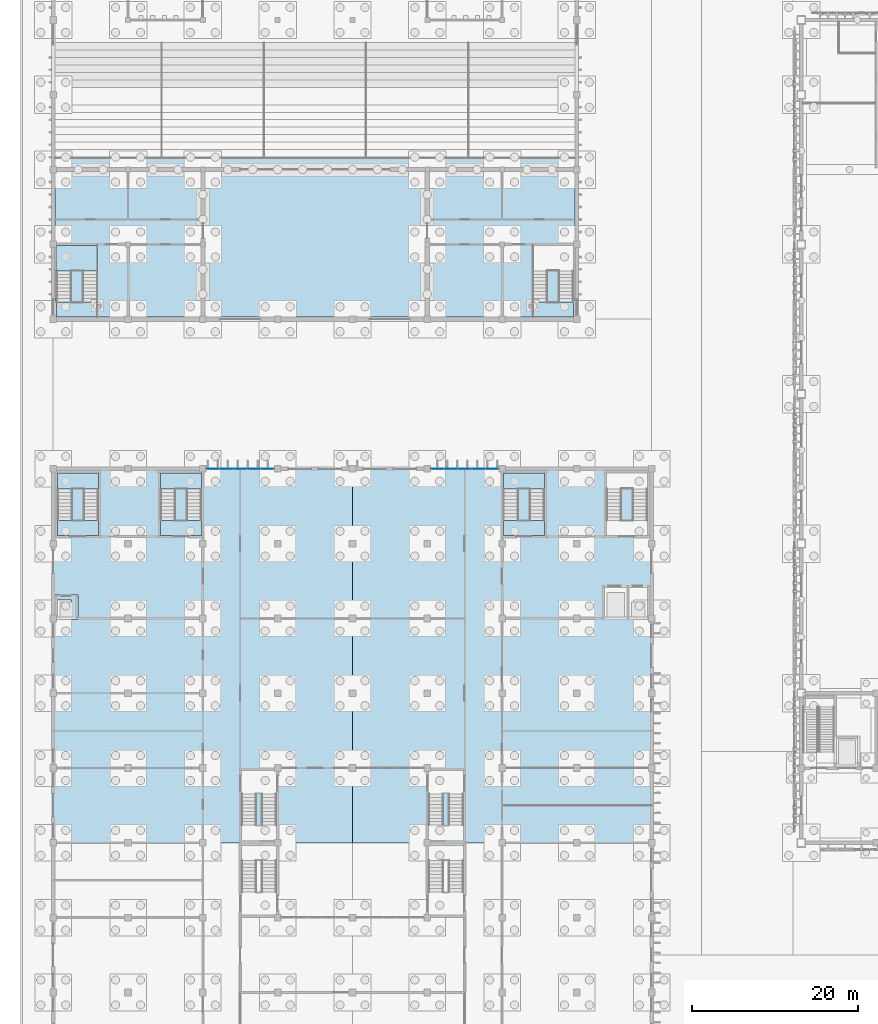
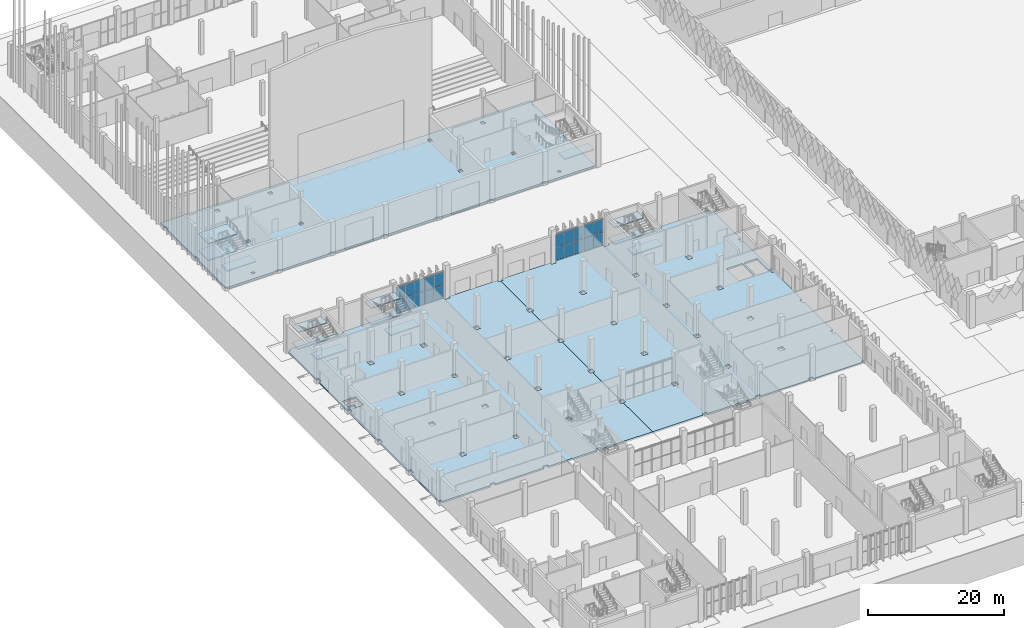
# One storey, part 67 of 198: 20 plates, 17 slabs, 7 elements without a shape of their own.
"""IFC4 building model written with IfcOpenShell, lengths in metres."""

from ifc_helpers import new_model, si_unit, direction, frame, origin, origin_2d, place, context, subcontext, project, spatial, polyline, rectangle, outline, extrude, material, layer, layer_set, type_object, element, aggregate, save


model = new_model("IFC4")

# Units and contexts
model_context = context("Model", 3, precision=1e-05, world=origin(), true_north=direction((0.0, 1.0)))
body_context = subcontext(model_context, "Body", "Model", "MODEL_VIEW")
ifc_project = project(units=[si_unit("LENGTHUNIT", "METRE"), si_unit("AREAUNIT", "SQUARE_METRE"), si_unit("VOLUMEUNIT", "CUBIC_METRE"), si_unit("PLANEANGLEUNIT", "RADIAN"), si_unit("MASSUNIT", "GRAM", prefix="KILO")], contexts=[model_context])

# Site, building, storey
site_placement = place(None, origin())
site = spatial("IfcSite", under=ifc_project, at=site_placement, CompositionType="ELEMENT")
building_placement = place(site_placement, origin())
building = spatial("IfcBuilding", under=site, at=building_placement, Name="Opaline Strait Convention Centre", CompositionType="ELEMENT")
storey_placement = place(building_placement, origin())
storey = spatial("IfcBuildingStorey", under=building, at=storey_placement, Name="L00", CompositionType="ELEMENT", Elevation=0.0)

# Curtain wall, plates
ifc_material_1 = material(Name="Aluminium framed double glazing", Category="aluminium")
ifc_layer_1 = layer(ifc_material_1, 0.199951171875)
ifc_layer_set_1 = layer_set([ifc_layer_1], Name="Aluminium framed double glazing")
curtain_wall_type = type_object("IfcCurtainWallType", Name="Curtain wall 1500 module", PredefinedType="NOTDEFINED", material=ifc_layer_set_1)
curtain_wall_1_placement = place(storey_placement, origin())
curtain_wall_1 = element("IfcCurtainWall", 1, at=curtain_wall_1_placement, inside=storey, type_object=curtain_wall_type, Name="L00 N facade glazing bay 3", PredefinedType="NOTDEFINED")
ifc_material_2 = material(Name="Double glazed unit low emissivity", Category="glass")
ifc_layer_2 = layer(ifc_material_2, 0.028076171875)
ifc_layer_set_2 = layer_set([ifc_layer_2], Name="Double glazed unit low emissivity")
plate_type = type_object("IfcPlateType", Name="Curtain wall glass panel 28", PredefinedType="CURTAIN_PANEL", material=ifc_layer_set_2)
plate_1_placement = place(storey_placement, frame((28.23486328125, 99.0, 0.06005859375), z_axis=(0.0, 0.0, 1.0), x_axis=(1.0, 0.0, 0.0)))
plate_1 = element("IfcPlate", 2, at=plate_1_placement, type_object=plate_type, Name="RCW1 panel 1.1", PredefinedType="CURTAIN_PANEL", context=body_context, shape_type="SweptSolid", body=[
    extrude(rectangle(XDim=1.550048828125, YDim=0.028076171875, at=origin_2d()), origin(), (0.0, 0.0, 1.0), 2.320068359375),
])
plate_2_placement = place(storey_placement, frame((28.23486328125, 99.0, 2.43994140625), z_axis=(0.0, 0.0, 1.0), x_axis=(1.0, 0.0, 0.0)))
plate_2 = element("IfcPlate", 3, at=plate_2_placement, type_object=plate_type, Name="RCW1 panel 1.2", PredefinedType="CURTAIN_PANEL", context=body_context, shape_type="SweptSolid", body=[
    extrude(rectangle(XDim=1.550048828125, YDim=0.028076171875, at=origin_2d()), origin(), (0.0, 0.0, 1.0), 2.320068359375),
])
plate_3_placement = place(storey_placement, frame((29.85986328125, 99.0, 0.06005859375), z_axis=(0.0, 0.0, 1.0), x_axis=(1.0, 0.0, 0.0)))
plate_3 = element("IfcPlate", 4, at=plate_3_placement, type_object=plate_type, Name="RCW1 panel 2.1", PredefinedType="CURTAIN_PANEL", context=body_context, shape_type="SweptSolid", body=[
    extrude(rectangle(XDim=1.580078125, YDim=0.028076171875, at=origin_2d()), origin(), (0.0, 0.0, 1.0), 2.320068359375),
])
plate_4_placement = place(storey_placement, frame((29.85986328125, 99.0, 2.43994140625), z_axis=(0.0, 0.0, 1.0), x_axis=(1.0, 0.0, 0.0)))
plate_4 = element("IfcPlate", 5, at=plate_4_placement, type_object=plate_type, Name="RCW1 panel 2.2", PredefinedType="CURTAIN_PANEL", context=body_context, shape_type="SweptSolid", body=[
    extrude(rectangle(XDim=1.580078125, YDim=0.028076171875, at=origin_2d()), origin(), (0.0, 0.0, 1.0), 2.320068359375),
])
plate_5_placement = place(storey_placement, frame((31.5, 99.0, 0.06005859375), z_axis=(0.0, 0.0, 1.0), x_axis=(1.0, 0.0, 0.0)))
plate_5 = element("IfcPlate", 6, at=plate_5_placement, type_object=plate_type, Name="RCW1 panel 3.1", PredefinedType="CURTAIN_PANEL", context=body_context, shape_type="SweptSolid", body=[
    extrude(rectangle(XDim=1.580078125, YDim=0.028076171875, at=origin_2d()), origin(), (0.0, 0.0, 1.0), 2.320068359375),
])
plate_6_placement = place(storey_placement, frame((31.5, 99.0, 2.43994140625), z_axis=(0.0, 0.0, 1.0), x_axis=(1.0, 0.0, 0.0)))
plate_6 = element("IfcPlate", 7, at=plate_6_placement, type_object=plate_type, Name="RCW1 panel 3.2", PredefinedType="CURTAIN_PANEL", context=body_context, shape_type="SweptSolid", body=[
    extrude(rectangle(XDim=1.580078125, YDim=0.028076171875, at=origin_2d()), origin(), (0.0, 0.0, 1.0), 2.320068359375),
])
plate_7_placement = place(storey_placement, frame((33.14013671875, 99.0, 0.06005859375), z_axis=(0.0, 0.0, 1.0), x_axis=(1.0, 0.0, 0.0)))
plate_7 = element("IfcPlate", 8, at=plate_7_placement, type_object=plate_type, Name="RCW1 panel 4.1", PredefinedType="CURTAIN_PANEL", context=body_context, shape_type="SweptSolid", body=[
    extrude(rectangle(XDim=1.580078125, YDim=0.028076171875, at=origin_2d()), origin(), (0.0, 0.0, 1.0), 2.320068359375),
])
plate_8_placement = place(storey_placement, frame((33.14013671875, 99.0, 2.43994140625), z_axis=(0.0, 0.0, 1.0), x_axis=(1.0, 0.0, 0.0)))
plate_8 = element("IfcPlate", 9, at=plate_8_placement, type_object=plate_type, Name="RCW1 panel 4.2", PredefinedType="CURTAIN_PANEL", context=body_context, shape_type="SweptSolid", body=[
    extrude(rectangle(XDim=1.580078125, YDim=0.028076171875, at=origin_2d()), origin(), (0.0, 0.0, 1.0), 2.320068359375),
])
plate_9_placement = place(storey_placement, frame((34.76513671875, 99.0, 0.06005859375), z_axis=(0.0, 0.0, 1.0), x_axis=(1.0, 0.0, 0.0)))
plate_9 = element("IfcPlate", 10, at=plate_9_placement, type_object=plate_type, Name="RCW1 panel 5.1", PredefinedType="CURTAIN_PANEL", context=body_context, shape_type="SweptSolid", body=[
    extrude(rectangle(XDim=1.550048828125, YDim=0.028076171875, at=origin_2d()), origin(), (0.0, 0.0, 1.0), 2.320068359375),
])
plate_10_placement = place(storey_placement, frame((34.76513671875, 99.0, 2.43994140625), z_axis=(0.0, 0.0, 1.0), x_axis=(1.0, 0.0, 0.0)))
plate_10 = element("IfcPlate", 11, at=plate_10_placement, type_object=plate_type, Name="RCW1 panel 5.2", PredefinedType="CURTAIN_PANEL", context=body_context, shape_type="SweptSolid", body=[
    extrude(rectangle(XDim=1.550048828125, YDim=0.028076171875, at=origin_2d()), origin(), (0.0, 0.0, 1.0), 2.320068359375),
])
aggregate(curtain_wall_1, [plate_1, plate_2, plate_3, plate_4, plate_5, plate_6, plate_7, plate_8, plate_9, plate_10])

curtain_wall_2_placement = place(storey_placement, origin())
curtain_wall_2 = element("IfcCurtainWall", 12, at=curtain_wall_2_placement, inside=storey, type_object=curtain_wall_type, Name="L00 N facade glazing bay 6", PredefinedType="NOTDEFINED")
plate_11_placement = place(storey_placement, frame((55.23486328125, 99.0, 0.06005859375), z_axis=(0.0, 0.0, 1.0), x_axis=(1.0, 0.0, 0.0)))
plate_11 = element("IfcPlate", 13, at=plate_11_placement, type_object=plate_type, Name="RCW1 panel 1.1", PredefinedType="CURTAIN_PANEL", context=body_context, shape_type="SweptSolid", body=[
    extrude(rectangle(XDim=1.550048828125, YDim=0.028076171875, at=origin_2d()), origin(), (0.0, 0.0, 1.0), 2.320068359375),
])
plate_12_placement = place(storey_placement, frame((55.23486328125, 99.0, 2.43994140625), z_axis=(0.0, 0.0, 1.0), x_axis=(1.0, 0.0, 0.0)))
plate_12 = element("IfcPlate", 14, at=plate_12_placement, type_object=plate_type, Name="RCW1 panel 1.2", PredefinedType="CURTAIN_PANEL", context=body_context, shape_type="SweptSolid", body=[
    extrude(rectangle(XDim=1.550048828125, YDim=0.028076171875, at=origin_2d()), origin(), (0.0, 0.0, 1.0), 2.320068359375),
])
plate_13_placement = place(storey_placement, frame((56.85986328125, 99.0, 0.06005859375), z_axis=(0.0, 0.0, 1.0), x_axis=(1.0, 0.0, 0.0)))
plate_13 = element("IfcPlate", 15, at=plate_13_placement, type_object=plate_type, Name="RCW1 panel 2.1", PredefinedType="CURTAIN_PANEL", context=body_context, shape_type="SweptSolid", body=[
    extrude(rectangle(XDim=1.580078125, YDim=0.028076171875, at=origin_2d()), origin(), (0.0, 0.0, 1.0), 2.320068359375),
])
plate_14_placement = place(storey_placement, frame((56.85986328125, 99.0, 2.43994140625), z_axis=(0.0, 0.0, 1.0), x_axis=(1.0, 0.0, 0.0)))
plate_14 = element("IfcPlate", 16, at=plate_14_placement, type_object=plate_type, Name="RCW1 panel 2.2", PredefinedType="CURTAIN_PANEL", context=body_context, shape_type="SweptSolid", body=[
    extrude(rectangle(XDim=1.580078125, YDim=0.028076171875, at=origin_2d()), origin(), (0.0, 0.0, 1.0), 2.320068359375),
])
plate_15_placement = place(storey_placement, frame((58.5, 99.0, 0.06005859375), z_axis=(0.0, 0.0, 1.0), x_axis=(1.0, 0.0, 0.0)))
plate_15 = element("IfcPlate", 17, at=plate_15_placement, type_object=plate_type, Name="RCW1 panel 3.1", PredefinedType="CURTAIN_PANEL", context=body_context, shape_type="SweptSolid", body=[
    extrude(rectangle(XDim=1.580078125, YDim=0.028076171875, at=origin_2d()), origin(), (0.0, 0.0, 1.0), 2.320068359375),
])
plate_16_placement = place(storey_placement, frame((58.5, 99.0, 2.43994140625), z_axis=(0.0, 0.0, 1.0), x_axis=(1.0, 0.0, 0.0)))
plate_16 = element("IfcPlate", 18, at=plate_16_placement, type_object=plate_type, Name="RCW1 panel 3.2", PredefinedType="CURTAIN_PANEL", context=body_context, shape_type="SweptSolid", body=[
    extrude(rectangle(XDim=1.580078125, YDim=0.028076171875, at=origin_2d()), origin(), (0.0, 0.0, 1.0), 2.320068359375),
])
plate_17_placement = place(storey_placement, frame((60.14013671875, 99.0, 0.06005859375), z_axis=(0.0, 0.0, 1.0), x_axis=(1.0, 0.0, 0.0)))
plate_17 = element("IfcPlate", 19, at=plate_17_placement, type_object=plate_type, Name="RCW1 panel 4.1", PredefinedType="CURTAIN_PANEL", context=body_context, shape_type="SweptSolid", body=[
    extrude(rectangle(XDim=1.580078125, YDim=0.028076171875, at=origin_2d()), origin(), (0.0, 0.0, 1.0), 2.320068359375),
])
plate_18_placement = place(storey_placement, frame((60.14013671875, 99.0, 2.43994140625), z_axis=(0.0, 0.0, 1.0), x_axis=(1.0, 0.0, 0.0)))
plate_18 = element("IfcPlate", 20, at=plate_18_placement, type_object=plate_type, Name="RCW1 panel 4.2", PredefinedType="CURTAIN_PANEL", context=body_context, shape_type="SweptSolid", body=[
    extrude(rectangle(XDim=1.580078125, YDim=0.028076171875, at=origin_2d()), origin(), (0.0, 0.0, 1.0), 2.320068359375),
])
plate_19_placement = place(storey_placement, frame((61.76513671875, 99.0, 0.06005859375), z_axis=(0.0, 0.0, 1.0), x_axis=(1.0, 0.0, 0.0)))
plate_19 = element("IfcPlate", 21, at=plate_19_placement, type_object=plate_type, Name="RCW1 panel 5.1", PredefinedType="CURTAIN_PANEL", context=body_context, shape_type="SweptSolid", body=[
    extrude(rectangle(XDim=1.550048828125, YDim=0.028076171875, at=origin_2d()), origin(), (0.0, 0.0, 1.0), 2.320068359375),
])
plate_20_placement = place(storey_placement, frame((61.76513671875, 99.0, 2.43994140625), z_axis=(0.0, 0.0, 1.0), x_axis=(1.0, 0.0, 0.0)))
plate_20 = element("IfcPlate", 22, at=plate_20_placement, type_object=plate_type, Name="RCW1 panel 5.2", PredefinedType="CURTAIN_PANEL", context=body_context, shape_type="SweptSolid", body=[
    extrude(rectangle(XDim=1.550048828125, YDim=0.028076171875, at=origin_2d()), origin(), (0.0, 0.0, 1.0), 2.320068359375),
])
aggregate(curtain_wall_2, [plate_11, plate_12, plate_13, plate_14, plate_15, plate_16, plate_17, plate_18, plate_19, plate_20])

# Slabs
ifc_material_3 = material(Name="Concrete C30", Category="concrete")
ifc_layer_3 = layer(ifc_material_3, 0.300048828125)
ifc_layer_set_3 = layer_set([ifc_layer_3], Name="Concrete C30")
slab_type_1 = type_object("IfcSlabType", Name="Ground slab 300 C30", PredefinedType="BASESLAB", material=ifc_layer_set_3)
slab_1_placement = place(storey_placement, frame((0.0, 0.0, -0.300048828125)))
element("IfcSlab", 23, at=slab_1_placement, inside=storey, type_object=slab_type_1, Name="XS1 ground slab 1", PredefinedType="BASESLAB", context=body_context, shape_type="SweptSolid", body=[
    extrude(outline(polyline([(71.800048828125, 136.5), (71.800048828125, 135.39990234375), (71.60009765625, 135.39990234375), (71.60009765625, 134.60009765625), (71.800048828125, 134.60009765625), (71.800048828125, 126.39990234375), (71.60009765625, 126.39990234375), (71.60009765625, 125.60009765625), (71.800048828125, 125.60009765625), (71.800048828125, 117.39990234375), (71.60009765625, 117.39990234375), (71.60009765625, 117.25), (63.39990234375, 117.25), (63.39990234375, 117.39990234375), (62.60009765625, 117.39990234375), (62.60009765625, 117.25), (54.39990234375, 117.25), (54.39990234375, 117.39990234375), (53.60009765625, 117.39990234375), (53.60009765625, 117.25), (45.39990234375, 117.25), (45.39990234375, 117.39990234375), (44.60009765625, 117.39990234375), (44.60009765625, 117.25), (36.39990234375, 117.25), (36.39990234375, 117.39990234375), (35.60009765625, 117.39990234375), (35.60009765625, 117.25), (27.39990234375, 117.25), (27.39990234375, 117.39990234375), (26.60009765625, 117.39990234375), (26.60009765625, 117.25), (18.39990234375, 117.25), (18.39990234375, 117.39990234375), (17.60009765625, 117.39990234375), (17.60009765625, 117.25), (9.39990234375, 117.25), (9.39990234375, 117.39990234375), (9.199951171875, 117.39990234375), (9.199951171875, 125.60009765625), (9.39990234375, 125.60009765625), (9.39990234375, 126.39990234375), (9.199951171875, 126.39990234375), (9.199951171875, 134.60009765625), (9.39990234375, 134.60009765625), (9.39990234375, 135.39990234375), (9.199951171875, 135.39990234375), (9.199951171875, 136.5), (71.800048828125, 136.5)]), holes=[polyline([(14.300048828125, 118.39990234375), (14.800048828125, 118.39990234375), (14.800048828125, 118.800048828125), (14.300048828125, 118.800048828125), (14.300048828125, 118.39990234375)]), polyline([(17.699951171875, 125.699951171875), (18.300048828125, 125.699951171875), (18.300048828125, 126.300048828125), (17.699951171875, 126.300048828125), (17.699951171875, 125.699951171875)]), polyline([(26.699951171875, 134.699951171875), (27.300048828125, 134.699951171875), (27.300048828125, 135.300048828125), (26.699951171875, 135.300048828125), (26.699951171875, 134.699951171875)]), polyline([(18.300048828125, 134.699951171875), (18.300048828125, 135.300048828125), (17.699951171875, 135.300048828125), (17.699951171875, 134.699951171875), (18.300048828125, 134.699951171875)]), polyline([(26.699951171875, 125.699951171875), (27.300048828125, 125.699951171875), (27.300048828125, 126.300048828125), (26.699951171875, 126.300048828125), (26.699951171875, 125.699951171875)]), polyline([(53.699951171875, 125.699951171875), (54.300048828125, 125.699951171875), (54.300048828125, 126.300048828125), (53.699951171875, 126.300048828125), (53.699951171875, 125.699951171875)]), polyline([(53.699951171875, 134.699951171875), (54.300048828125, 134.699951171875), (54.300048828125, 135.300048828125), (53.699951171875, 135.300048828125), (53.699951171875, 134.699951171875)]), polyline([(66.199951171875, 118.39990234375), (66.699951171875, 118.39990234375), (66.699951171875, 118.800048828125), (66.199951171875, 118.800048828125), (66.199951171875, 118.39990234375)]), polyline([(63.300048828125, 125.699951171875), (63.300048828125, 126.300048828125), (62.699951171875, 126.300048828125), (62.699951171875, 125.699951171875), (63.300048828125, 125.699951171875)]), polyline([(62.699951171875, 134.699951171875), (63.300048828125, 134.699951171875), (63.300048828125, 135.300048828125), (62.699951171875, 135.300048828125), (62.699951171875, 134.699951171875)])]), origin(), (0.0, 0.0, 1.0), 0.300048828125),
])
ifc_material_4 = material(Name="Concrete C35", Category="concrete")
ifc_layer_4 = layer(ifc_material_4, 0.300048828125)
ifc_layer_set_4 = layer_set([ifc_layer_4], Name="Concrete C35")
slab_type_2 = type_object("IfcSlabType", Name="Lift pit slab 300 C35", PredefinedType="BASESLAB", material=ifc_layer_set_4)
slab_2_placement = place(storey_placement, frame((0.0, 0.0, -1.300048828125)))
element("IfcSlab", 24, at=slab_2_placement, inside=storey, type_object=slab_type_2, Name="Lift pit slab NW", PredefinedType="BASESLAB", context=body_context, shape_type="SweptSolid", body=[
    extrude(outline(polyline([(9.199951171875, 83.85009765625), (12.0, 83.85009765625), (12.0, 80.85009765625), (11.199951171875, 80.85009765625), (11.199951171875, 83.199951171875), (9.199951171875, 83.199951171875), (9.199951171875, 83.85009765625)])), origin(), (0.0, 0.0, 1.0), 0.300048828125),
])
ifc_layer_5 = layer(ifc_material_3, 0.300048828125)
ifc_layer_set_5 = layer_set([ifc_layer_5], Name="Concrete C30")
slab_type_3 = type_object("IfcSlabType", Name="RC ground slab 300 C30", PredefinedType="BASESLAB", material=ifc_layer_set_5)
slab_3_placement = place(storey_placement, frame((0.0, 0.0, -0.300048828125)))
element("IfcSlab", 25, at=slab_3_placement, inside=storey, type_object=slab_type_3, Name="MGS1 slab L00 pour NW1", PredefinedType="BASESLAB", context=body_context, shape_type="SweptSolid", body=[
    extrude(outline(polyline([(9.39990234375, 54.39990234375), (9.0, 54.39990234375), (9.0, 62.60009765625), (9.39990234375, 62.60009765625), (9.39990234375, 63.39990234375), (9.0, 63.39990234375), (9.0, 71.60009765625), (9.39990234375, 71.60009765625), (9.39990234375, 72.39990234375), (9.0, 72.39990234375), (9.0, 80.60009765625), (9.39990234375, 80.60009765625), (9.39990234375, 81.39990234375), (9.0, 81.39990234375), (9.0, 89.60009765625), (9.39990234375, 89.60009765625), (9.39990234375, 90.39990234375), (9.0, 90.39990234375), (9.0, 98.60009765625), (9.39990234375, 98.60009765625), (9.39990234375, 99.0), (17.60009765625, 99.0), (17.60009765625, 98.60009765625), (18.39990234375, 98.60009765625), (18.39990234375, 99.0), (26.60009765625, 99.0), (26.60009765625, 98.60009765625), (27.39990234375, 98.60009765625), (27.39990234375, 99.0), (35.60009765625, 99.0), (35.60009765625, 98.60009765625), (36.39990234375, 98.60009765625), (36.39990234375, 99.0), (44.60009765625, 99.0), (44.60009765625, 98.60009765625), (45.0, 98.60009765625), (45.0, 90.39990234375), (44.60009765625, 90.39990234375), (44.60009765625, 89.60009765625), (45.0, 89.60009765625), (45.0, 81.39990234375), (44.60009765625, 81.39990234375), (44.60009765625, 80.60009765625), (45.0, 80.60009765625), (45.0, 72.39990234375), (44.60009765625, 72.39990234375), (44.60009765625, 71.60009765625), (45.0, 71.60009765625), (45.0, 63.39990234375), (44.60009765625, 63.39990234375), (44.60009765625, 62.60009765625), (45.0, 62.60009765625), (45.0, 54.0), (36.39990234375, 54.0), (36.39990234375, 54.39990234375), (35.60009765625, 54.39990234375), (35.60009765625, 54.0), (27.39990234375, 54.0), (27.39990234375, 54.39990234375), (26.60009765625, 54.39990234375), (26.60009765625, 54.0), (18.39990234375, 54.0), (18.39990234375, 54.39990234375), (17.60009765625, 54.39990234375), (17.60009765625, 54.0), (9.39990234375, 54.0), (9.39990234375, 54.39990234375)]), holes=[polyline([(18.39990234375, 62.60009765625), (18.39990234375, 63.39990234375), (17.60009765625, 63.39990234375), (17.60009765625, 62.60009765625), (18.39990234375, 62.60009765625)]), polyline([(17.60009765625, 71.60009765625), (18.39990234375, 71.60009765625), (18.39990234375, 72.39990234375), (17.60009765625, 72.39990234375), (17.60009765625, 71.60009765625)]), polyline([(17.60009765625, 80.60009765625), (18.39990234375, 80.60009765625), (18.39990234375, 81.39990234375), (17.60009765625, 81.39990234375), (17.60009765625, 80.60009765625)]), polyline([(9.5, 81.14990234375), (11.699951171875, 81.14990234375), (11.699951171875, 83.550048828125), (9.5, 83.550048828125), (9.5, 81.14990234375)]), polyline([(17.60009765625, 89.60009765625), (18.39990234375, 89.60009765625), (18.39990234375, 90.39990234375), (17.60009765625, 90.39990234375), (17.60009765625, 89.60009765625)]), polyline([(27.39990234375, 62.60009765625), (27.39990234375, 63.39990234375), (26.60009765625, 63.39990234375), (26.60009765625, 62.60009765625), (27.39990234375, 62.60009765625)]), polyline([(35.60009765625, 62.60009765625), (36.39990234375, 62.60009765625), (36.39990234375, 63.39990234375), (35.60009765625, 63.39990234375), (35.60009765625, 62.60009765625)]), polyline([(35.60009765625, 71.60009765625), (36.39990234375, 71.60009765625), (36.39990234375, 72.39990234375), (35.60009765625, 72.39990234375), (35.60009765625, 71.60009765625)]), polyline([(26.60009765625, 71.60009765625), (27.39990234375, 71.60009765625), (27.39990234375, 72.39990234375), (26.60009765625, 72.39990234375), (26.60009765625, 71.60009765625)]), polyline([(35.60009765625, 80.60009765625), (36.39990234375, 80.60009765625), (36.39990234375, 81.39990234375), (35.60009765625, 81.39990234375), (35.60009765625, 80.60009765625)]), polyline([(27.39990234375, 80.60009765625), (27.39990234375, 81.39990234375), (26.60009765625, 81.39990234375), (26.60009765625, 80.60009765625), (27.39990234375, 80.60009765625)]), polyline([(35.60009765625, 89.60009765625), (36.39990234375, 89.60009765625), (36.39990234375, 90.39990234375), (35.60009765625, 90.39990234375), (35.60009765625, 89.60009765625)]), polyline([(26.60009765625, 89.60009765625), (27.39990234375, 89.60009765625), (27.39990234375, 90.39990234375), (26.60009765625, 90.39990234375), (26.60009765625, 89.60009765625)])]), origin(), (0.0, 0.0, 1.0), 0.300048828125),
])
slab_4_placement = place(storey_placement, frame((0.0, 0.0, -0.300048828125)))
element("IfcSlab", 26, at=slab_4_placement, inside=storey, type_object=slab_type_3, Name="MGS1 slab L00 pour NE1", PredefinedType="BASESLAB", context=body_context, shape_type="SweptSolid", body=[
    extrude(outline(polyline([(45.39990234375, 98.60009765625), (45.39990234375, 99.0), (53.60009765625, 99.0), (53.60009765625, 98.60009765625), (54.39990234375, 98.60009765625), (54.39990234375, 99.0), (62.60009765625, 99.0), (62.60009765625, 98.60009765625), (63.39990234375, 98.60009765625), (63.39990234375, 99.0), (71.60009765625, 99.0), (71.60009765625, 98.60009765625), (72.39990234375, 98.60009765625), (72.39990234375, 99.0), (80.60009765625, 99.0), (80.60009765625, 98.60009765625), (81.0, 98.60009765625), (81.0, 90.39990234375), (80.60009765625, 90.39990234375), (80.60009765625, 89.60009765625), (81.0, 89.60009765625), (81.0, 81.39990234375), (80.60009765625, 81.39990234375), (80.60009765625, 80.60009765625), (81.0, 80.60009765625), (81.0, 72.39990234375), (80.60009765625, 72.39990234375), (80.60009765625, 71.60009765625), (81.0, 71.60009765625), (81.0, 63.39990234375), (80.60009765625, 63.39990234375), (80.60009765625, 62.60009765625), (81.0, 62.60009765625), (81.0, 54.39990234375), (80.60009765625, 54.39990234375), (80.60009765625, 54.0), (72.39990234375, 54.0), (72.39990234375, 54.39990234375), (71.60009765625, 54.39990234375), (71.60009765625, 54.0), (63.39990234375, 54.0), (63.39990234375, 54.39990234375), (62.60009765625, 54.39990234375), (62.60009765625, 54.0), (54.39990234375, 54.0), (54.39990234375, 54.39990234375), (53.60009765625, 54.39990234375), (53.60009765625, 54.0), (45.0, 54.0), (45.0, 62.60009765625), (45.39990234375, 62.60009765625), (45.39990234375, 63.39990234375), (45.0, 63.39990234375), (45.0, 71.60009765625), (45.39990234375, 71.60009765625), (45.39990234375, 72.39990234375), (45.0, 72.39990234375), (45.0, 80.60009765625), (45.39990234375, 80.60009765625), (45.39990234375, 81.39990234375), (45.0, 81.39990234375), (45.0, 89.60009765625), (45.39990234375, 89.60009765625), (45.39990234375, 90.39990234375), (45.0, 90.39990234375), (45.0, 98.60009765625), (45.39990234375, 98.60009765625)]), holes=[polyline([(53.60009765625, 62.60009765625), (54.39990234375, 62.60009765625), (54.39990234375, 63.39990234375), (53.60009765625, 63.39990234375), (53.60009765625, 62.60009765625)]), polyline([(63.39990234375, 62.60009765625), (63.39990234375, 63.39990234375), (62.60009765625, 63.39990234375), (62.60009765625, 62.60009765625), (63.39990234375, 62.60009765625)]), polyline([(53.60009765625, 71.60009765625), (54.39990234375, 71.60009765625), (54.39990234375, 72.39990234375), (53.60009765625, 72.39990234375), (53.60009765625, 71.60009765625)]), polyline([(62.60009765625, 71.60009765625), (63.39990234375, 71.60009765625), (63.39990234375, 72.39990234375), (62.60009765625, 72.39990234375), (62.60009765625, 71.60009765625)]), polyline([(54.39990234375, 80.60009765625), (54.39990234375, 81.39990234375), (53.60009765625, 81.39990234375), (53.60009765625, 80.60009765625), (54.39990234375, 80.60009765625)]), polyline([(62.60009765625, 80.60009765625), (63.39990234375, 80.60009765625), (63.39990234375, 81.39990234375), (62.60009765625, 81.39990234375), (62.60009765625, 80.60009765625)]), polyline([(53.60009765625, 89.60009765625), (54.39990234375, 89.60009765625), (54.39990234375, 90.39990234375), (53.60009765625, 90.39990234375), (53.60009765625, 89.60009765625)]), polyline([(62.60009765625, 89.60009765625), (63.39990234375, 89.60009765625), (63.39990234375, 90.39990234375), (62.60009765625, 90.39990234375), (62.60009765625, 89.60009765625)]), polyline([(71.60009765625, 62.60009765625), (72.39990234375, 62.60009765625), (72.39990234375, 63.39990234375), (71.60009765625, 63.39990234375), (71.60009765625, 62.60009765625)]), polyline([(72.39990234375, 71.60009765625), (72.39990234375, 72.39990234375), (71.60009765625, 72.39990234375), (71.60009765625, 71.60009765625), (72.39990234375, 71.60009765625)]), polyline([(71.60009765625, 80.60009765625), (72.39990234375, 80.60009765625), (72.39990234375, 81.39990234375), (71.60009765625, 81.39990234375), (71.60009765625, 80.60009765625)]), polyline([(75.300048828125, 81.14990234375), (78.0, 81.14990234375), (78.0, 84.75), (75.300048828125, 84.75), (75.300048828125, 81.14990234375)]), polyline([(78.300048828125, 81.14990234375), (80.5, 81.14990234375), (80.5, 84.75), (78.300048828125, 84.75), (78.300048828125, 81.14990234375)]), polyline([(71.60009765625, 89.60009765625), (72.39990234375, 89.60009765625), (72.39990234375, 90.39990234375), (71.60009765625, 90.39990234375), (71.60009765625, 89.60009765625)])]), origin(), (0.0, 0.0, 1.0), 0.300048828125),
])

# Stair, slabs
ifc_material_5 = material(Name="Concrete C40", Category="concrete")
stair_type_1 = type_object("IfcStairType", Name="Exit stair two flights 1800 C40", PredefinedType="HALF_TURN_STAIR", material=ifc_material_5)
stair_1_placement = place(storey_placement, origin())
stair_1 = element("IfcStair", 27, at=stair_1_placement, inside=storey, type_object=stair_type_1, Name="L00 NWA", ObjectType="RST1", PredefinedType="HALF_TURN_STAIR")
ifc_layer_6 = layer(ifc_material_5, 0.199951171875)
ifc_layer_set_6 = layer_set([ifc_layer_6], Name="Concrete C40")
slab_type_4 = type_object("IfcSlabType", Name="Stair landing 200 C40", PredefinedType="LANDING", material=ifc_layer_set_6)
slab_5_placement = place(storey_placement, frame((0.0, 0.0, 1.300048828125)))
slab_5 = element("IfcSlab", 28, at=slab_5_placement, type_object=slab_type_4, Name="NWA landing 1", ObjectType="RSL1", PredefinedType="LANDING", context=body_context, shape_type="SweptSolid", body=[
    extrude(outline(polyline([(14.449951171875, 96.580078125), (14.449951171875, 98.5), (9.5, 98.5), (9.5, 96.580078125), (14.449951171875, 96.580078125)])), origin(), (0.0, 0.0, 1.0), 0.199951171875),
])
slab_6_placement = place(storey_placement, frame((0.0, 0.0, 2.800048828125)))
slab_6 = element("IfcSlab", 29, at=slab_6_placement, type_object=slab_type_4, Name="NWA landing 2", ObjectType="RSL1", PredefinedType="LANDING", context=body_context, shape_type="SweptSolid", body=[
    extrude(outline(polyline([(14.449951171875, 91.0), (14.449951171875, 92.800048828125), (9.5, 92.800048828125), (9.5, 91.0), (14.449951171875, 91.0)])), origin(), (0.0, 0.0, 1.0), 0.199951171875),
])
slab_7_placement = place(storey_placement, frame((0.0, 0.0, 4.300048828125)))
slab_7 = element("IfcSlab", 30, at=slab_7_placement, type_object=slab_type_4, Name="NWA landing 3", ObjectType="RSL1", PredefinedType="LANDING", context=body_context, shape_type="SweptSolid", body=[
    extrude(outline(polyline([(14.449951171875, 96.580078125), (14.449951171875, 98.5), (9.5, 98.5), (9.5, 96.580078125), (14.449951171875, 96.580078125)])), origin(), (0.0, 0.0, 1.0), 0.199951171875),
])
aggregate(stair_1, [slab_5, slab_6, slab_7])

stair_2_placement = place(storey_placement, origin())
stair_2 = element("IfcStair", 31, at=stair_2_placement, inside=storey, type_object=stair_type_1, Name="L00 NWB", ObjectType="RST1", PredefinedType="HALF_TURN_STAIR")
slab_8_placement = place(storey_placement, frame((0.0, 0.0, 1.300048828125)))
slab_8 = element("IfcSlab", 32, at=slab_8_placement, type_object=slab_type_4, Name="NWB landing 1", ObjectType="RSL1", PredefinedType="LANDING", context=body_context, shape_type="SweptSolid", body=[
    extrude(outline(polyline([(26.85009765625, 96.580078125), (26.85009765625, 98.5), (21.89990234375, 98.5), (21.89990234375, 96.580078125), (26.85009765625, 96.580078125)])), origin(), (0.0, 0.0, 1.0), 0.199951171875),
])
slab_9_placement = place(storey_placement, frame((0.0, 0.0, 2.800048828125)))
slab_9 = element("IfcSlab", 33, at=slab_9_placement, type_object=slab_type_4, Name="NWB landing 2", ObjectType="RSL1", PredefinedType="LANDING", context=body_context, shape_type="SweptSolid", body=[
    extrude(outline(polyline([(26.85009765625, 91.0), (26.85009765625, 92.800048828125), (21.89990234375, 92.800048828125), (21.89990234375, 91.0), (26.85009765625, 91.0)])), origin(), (0.0, 0.0, 1.0), 0.199951171875),
])
slab_10_placement = place(storey_placement, frame((0.0, 0.0, 4.300048828125)))
slab_10 = element("IfcSlab", 34, at=slab_10_placement, type_object=slab_type_4, Name="NWB landing 3", ObjectType="RSL1", PredefinedType="LANDING", context=body_context, shape_type="SweptSolid", body=[
    extrude(outline(polyline([(26.85009765625, 96.580078125), (26.85009765625, 98.5), (21.89990234375, 98.5), (21.89990234375, 96.580078125), (26.85009765625, 96.580078125)])), origin(), (0.0, 0.0, 1.0), 0.199951171875),
])
aggregate(stair_2, [slab_8, slab_9, slab_10])

stair_3_placement = place(storey_placement, origin())
stair_3 = element("IfcStair", 35, at=stair_3_placement, inside=storey, type_object=stair_type_1, Name="L00 NEB", ObjectType="RST1", PredefinedType="HALF_TURN_STAIR")
slab_11_placement = place(storey_placement, frame((0.0, 0.0, 1.300048828125)))
slab_11 = element("IfcSlab", 36, at=slab_11_placement, type_object=slab_type_4, Name="NEB landing 1", ObjectType="RSL1", PredefinedType="LANDING", context=body_context, shape_type="SweptSolid", body=[
    extrude(outline(polyline([(68.10009765625, 96.580078125), (68.10009765625, 98.5), (63.14990234375, 98.5), (63.14990234375, 96.580078125), (68.10009765625, 96.580078125)])), origin(), (0.0, 0.0, 1.0), 0.199951171875),
])
slab_12_placement = place(storey_placement, frame((0.0, 0.0, 2.800048828125)))
slab_12 = element("IfcSlab", 37, at=slab_12_placement, type_object=slab_type_4, Name="NEB landing 2", ObjectType="RSL1", PredefinedType="LANDING", context=body_context, shape_type="SweptSolid", body=[
    extrude(outline(polyline([(68.10009765625, 91.0), (68.10009765625, 92.800048828125), (63.14990234375, 92.800048828125), (63.14990234375, 91.0), (68.10009765625, 91.0)])), origin(), (0.0, 0.0, 1.0), 0.199951171875),
])
slab_13_placement = place(storey_placement, frame((0.0, 0.0, 4.300048828125)))
slab_13 = element("IfcSlab", 38, at=slab_13_placement, type_object=slab_type_4, Name="NEB landing 3", ObjectType="RSL1", PredefinedType="LANDING", context=body_context, shape_type="SweptSolid", body=[
    extrude(outline(polyline([(68.10009765625, 96.580078125), (68.10009765625, 98.5), (63.14990234375, 98.5), (63.14990234375, 96.580078125), (68.10009765625, 96.580078125)])), origin(), (0.0, 0.0, 1.0), 0.199951171875),
])
aggregate(stair_3, [slab_11, slab_12, slab_13])

stair_type_2 = type_object("IfcStairType", Name="Core stair half turn 2400", PredefinedType="HALF_TURN_STAIR", material=ifc_material_5)
stair_4_placement = place(storey_placement, origin())
stair_4 = element("IfcStair", 39, at=stair_4_placement, inside=storey, type_object=stair_type_2, Name="L00 SW core stair", ObjectType="PST2", PredefinedType="HALF_TURN_STAIR")
ifc_layer_7 = layer(ifc_material_5, 0.199951171875)
ifc_layer_set_7 = layer_set([ifc_layer_7], Name="Concrete C40")
slab_type_5 = type_object("IfcSlabType", Name="Stair landing 200 precast", PredefinedType="LANDING", material=ifc_layer_set_7)
slab_14_placement = place(storey_placement, frame((0.0, 0.0, 1.300048828125)))
slab_14 = element("IfcSlab", 40, at=slab_14_placement, type_object=slab_type_5, Name="PSR1 landing 1", ObjectType="PSL1", PredefinedType="LANDING", context=body_context, shape_type="SweptSolid", body=[
    extrude(outline(polyline([(14.35009765625, 122.830078125), (14.35009765625, 125.85009765625), (9.39990234375, 125.85009765625), (9.39990234375, 122.830078125), (14.35009765625, 122.830078125)])), origin(), (0.0, 0.0, 1.0), 0.199951171875),
])
slab_15_placement = place(storey_placement, frame((0.0, 0.0, 2.800048828125)))
slab_15 = element("IfcSlab", 41, at=slab_15_placement, type_object=slab_type_5, Name="PSR1 landing 2", ObjectType="PSL1", PredefinedType="LANDING", context=body_context, shape_type="SweptSolid", body=[
    extrude(outline(polyline([(14.35009765625, 117.25), (14.35009765625, 119.050048828125), (9.39990234375, 119.050048828125), (9.39990234375, 117.25), (14.35009765625, 117.25)])), origin(), (0.0, 0.0, 1.0), 0.199951171875),
])
slab_16_placement = place(storey_placement, frame((0.0, 0.0, 4.300048828125)))
slab_16 = element("IfcSlab", 42, at=slab_16_placement, type_object=slab_type_5, Name="PSR1 landing 3", ObjectType="PSL1", PredefinedType="LANDING", context=body_context, shape_type="SweptSolid", body=[
    extrude(outline(polyline([(14.35009765625, 122.830078125), (14.35009765625, 125.85009765625), (9.39990234375, 125.85009765625), (9.39990234375, 122.830078125), (14.35009765625, 122.830078125)])), origin(), (0.0, 0.0, 1.0), 0.199951171875),
])
aggregate(stair_4, [slab_14, slab_15, slab_16])

# Stair, slab
stair_5_placement = place(storey_placement, origin())
stair_5 = element("IfcStair", 43, at=stair_5_placement, inside=storey, type_object=stair_type_2, Name="L00 SE core stair", ObjectType="PST2", PredefinedType="HALF_TURN_STAIR")
slab_17_placement = place(storey_placement, frame((0.0, 0.0, 2.800048828125)))
slab_17 = element("IfcSlab", 44, at=slab_17_placement, type_object=slab_type_5, Name="PSR2 landing 2", ObjectType="PSL1", PredefinedType="LANDING", context=body_context, shape_type="SweptSolid", body=[
    extrude(outline(polyline([(71.60009765625, 117.25), (71.60009765625, 119.050048828125), (66.64990234375, 119.050048828125), (66.64990234375, 117.25), (71.60009765625, 117.25)])), origin(), (0.0, 0.0, 1.0), 0.199951171875),
])
aggregate(stair_5, [slab_17])

save(model, "model.ifc")
